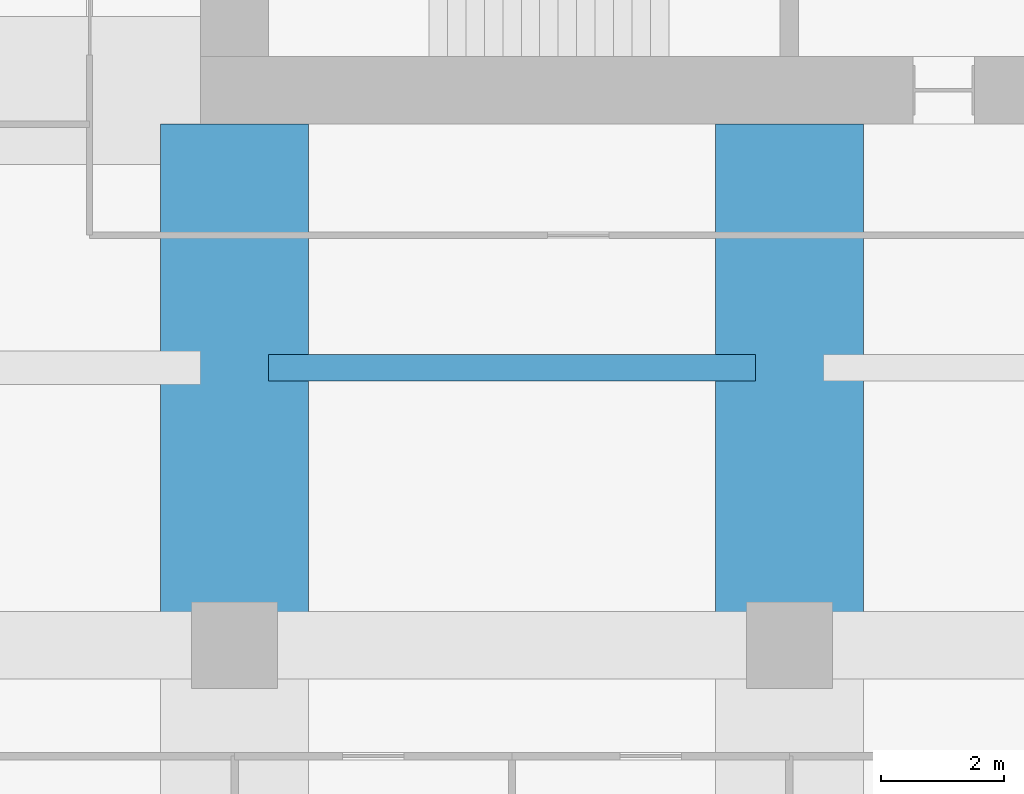
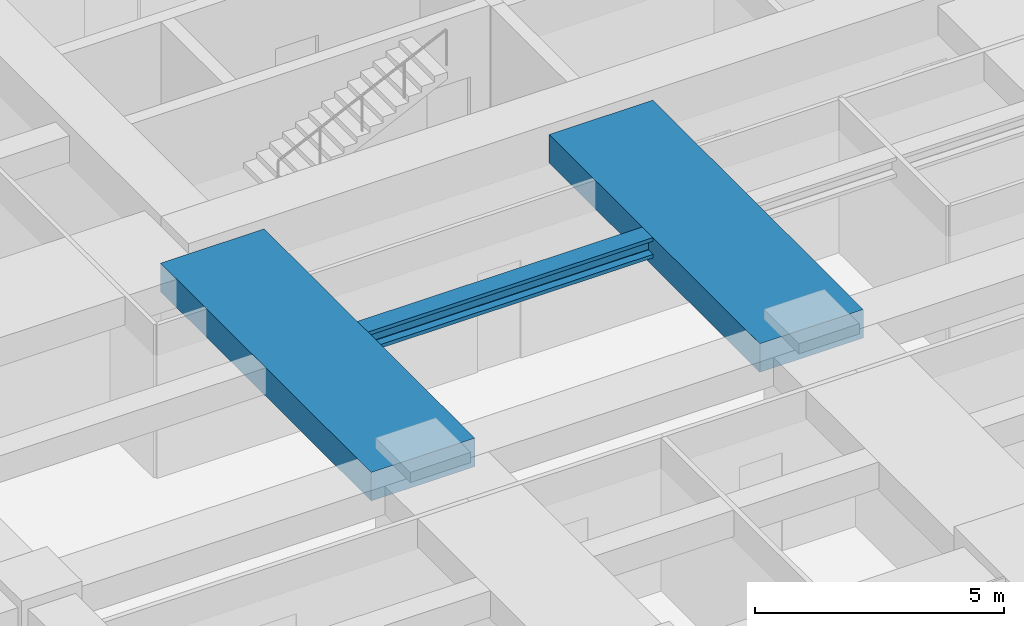
# One storey, part 8 of 35: 3 beams.
"""IFC4 building model written with IfcOpenShell, lengths in metres."""

import ifcopenshell
import ifcopenshell.guid

model = None  # the IFC model being written
_history = None  # IfcOwnerHistory: only IFC2X3 demands one
_inside = {}  # id of a spatial element -> (the spatial element, [elements in it])
_under = {}  # id of a project, library or spatial element -> (it, [spatial elements below it])
_declared = {}  # id of a project -> (the project, [libraries it declares])
_typed = {}  # id of a type object -> (the type object, [elements of that type])
_made_of = {}  # id of a material, layer set ... -> (it, [elements and type objects made of it])


def new_model(schema):
    """Start an empty IFC model of exactly this schema.

    Asked for "IFC4X3", IfcOpenShell would pick the latest addendum, in which some entities
    have other attributes; the version numbers below select the first issue.
    IFC2X3 requires an IfcOwnerHistory on every rooted entity: one is made here for all.
    """
    global model, _history
    if schema == "IFC4X3":
        model = ifcopenshell.file(schema_version=(4, 3, 0, 0))
    else:
        model = ifcopenshell.file(schema=schema)
    _inside.clear()
    _under.clear()
    _declared.clear()
    _typed.clear()
    _made_of.clear()
    _history = None
    if model.schema == "IFC2X3":
        org = make("IfcOrganization", Name="unknown")
        user = make(
            "IfcPersonAndOrganization",
            ThePerson=make("IfcPerson", FamilyName="unknown"),
            TheOrganization=org,
        )
        app = make(
            "IfcApplication",
            ApplicationDeveloper=org,
            Version="unknown",
            ApplicationFullName="unknown",
            ApplicationIdentifier="unknown",
        )
        _history = make(
            "IfcOwnerHistory",
            OwningUser=user,
            OwningApplication=app,
            ChangeAction="ADDED",
            CreationDate=0,
        )
    return model


def make(cls, **values):
    """One entity of the class cls with the attributes given. An attribute that is None is left unset."""
    return model.create_entity(
        cls, **{name: value for name, value in values.items() if value is not None}
    )


def rooted(cls, **values):
    """An entity with a GlobalId (a new one), such as an element, a storey or a relation."""
    return make(cls, GlobalId=ifcopenshell.guid.new(), OwnerHistory=_history, **values)


def si_unit(unit_type, name, prefix=None):
    """IfcSIUnit, for example si_unit("LENGTHUNIT", "METRE", prefix="MILLI")."""
    return make("IfcSIUnit", UnitType=unit_type, Prefix=prefix, Name=name)


def assignment(units):
    """IfcUnitAssignment: the units of a project."""
    return None if units is None else make("IfcUnitAssignment", Units=units)


def point(xyz):
    """IfcCartesianPoint."""
    return None if xyz is None else make("IfcCartesianPoint", Coordinates=xyz)


def direction(xyz):
    """IfcDirection."""
    return None if xyz is None else make("IfcDirection", DirectionRatios=xyz)


def frame(location, z_axis=None, x_axis=None):
    """IfcAxis2Placement3D, a coordinate frame: its origin and axes. An axis left out is left unset."""
    return make(
        "IfcAxis2Placement3D",
        Location=point(location),
        Axis=direction(z_axis),
        RefDirection=direction(x_axis),
    )


def frame_2d(location, x_axis=None):
    """IfcAxis2Placement2D, a coordinate frame in the plane: its origin and x axis."""
    return make(
        "IfcAxis2Placement2D", Location=point(location), RefDirection=direction(x_axis)
    )


def origin():
    """The frame at (0, 0, 0) with its axes left unset."""
    return frame((0.0, 0.0, 0.0))


def origin_2d():
    """The frame at (0, 0) in the plane with its x axis left unset."""
    return frame_2d((0.0, 0.0))


def place(relative_to, where):
    """IfcLocalPlacement: puts the frame where relative to a parent placement (None: the world)."""
    return make(
        "IfcLocalPlacement", PlacementRelTo=relative_to, RelativePlacement=where
    )


def context(
    kind, dimensions, precision=None, world=None, true_north=None, identifier=None
):
    """IfcGeometricRepresentationContext, for example the 3D "Model" context."""
    return make(
        "IfcGeometricRepresentationContext",
        ContextIdentifier=identifier,
        ContextType=kind,
        CoordinateSpaceDimension=dimensions,
        Precision=precision,
        WorldCoordinateSystem=world,
        TrueNorth=true_north,
    )


def subcontext(parent, identifier, kind, view, scale=None):
    """IfcGeometricRepresentationSubContext, for example "Body" below "Model"."""
    return make(
        "IfcGeometricRepresentationSubContext",
        ContextIdentifier=identifier,
        ContextType=kind,
        ParentContext=parent,
        TargetScale=scale,
        TargetView=view,
    )


def project(units=None, contexts=None):
    """IfcProject with its units and contexts."""
    return rooted(
        "IfcProject",
        Name="project",
        RepresentationContexts=contexts,
        UnitsInContext=assignment(units),
    )


def spatial(cls, under=None, at=None, **own):
    """A site, building, storey or space (cls), placed at a placement, below another one or the project."""
    s = rooted(cls, ObjectPlacement=at, **own)
    if under is not None:
        _under.setdefault(under.id(), (under, []))[1].append(s)
    return s


def profile(cls, at=None, kind="AREA", **sizes):
    """A parametric profile (cls). Its sizes go by their IFC names, for example OverallWidth=200.0."""
    return make(cls, ProfileType=kind, Position=at, **sizes)


def rectangle(**sizes):
    """IfcRectangleProfileDef."""
    return profile("IfcRectangleProfileDef", **sizes)


def i_section(**sizes):
    """IfcIShapeProfileDef."""
    return profile("IfcIShapeProfileDef", **sizes)


def extrude(swept, where, along, depth):
    """IfcExtrudedAreaSolid: the profile swept, set in the frame where, extruded along a direction by depth."""
    return make(
        "IfcExtrudedAreaSolid",
        SweptArea=swept,
        Position=where,
        ExtrudedDirection=direction(along),
        Depth=depth,
    )


def shape(context_of_items, identifier, shape_type, items):
    """IfcShapeRepresentation: the items that make up one representation, for example the "Body"."""
    return make(
        "IfcShapeRepresentation",
        ContextOfItems=context_of_items,
        RepresentationIdentifier=identifier,
        RepresentationType=shape_type,
        Items=items,
    )


def material(Name=None, Category=None):
    """IfcMaterial."""
    return make("IfcMaterial", Name=Name, Category=Category)


def material_profile(
    of_material, cross_section, Name=None, Category=None, Priority=None
):
    """IfcMaterialProfile: a cross section and its material."""
    return make(
        "IfcMaterialProfile",
        Name=Name,
        Material=of_material,
        Profile=cross_section,
        Priority=Priority,
        Category=Category,
    )


def profile_set(profiles, Name=None, composite=None):
    """IfcMaterialProfileSet."""
    return make(
        "IfcMaterialProfileSet",
        Name=Name,
        MaterialProfiles=profiles,
        CompositeProfile=composite,
    )


def made_of(thing, what):
    """Note that an element or type object is made of a material, layer set ...; save() writes the relation."""
    if what is not None:
        _made_of.setdefault(what.id(), (what, []))[1].append(thing)
    return thing


def type_object(cls, material=None, **own):
    """A type object (cls), such as IfcWallType, which elements share."""
    return made_of(rooted(cls, **own), material)


def element(
    cls,
    number,
    at=None,
    inside=None,
    cuts=None,
    type_object=None,
    material=None,
    context=None,
    identifier="Body",
    shape_type=None,
    held_by="IfcProductDefinitionShape",
    body=None,
    shapes=None,
    **own,
):
    """One element of the class cls, such as IfcWall. Its Tag is "e" and its number.

    at: its placement. inside: the storey or other place that contains it. cuts: it is an
    opening in that element (IfcRelVoidsElement). A single representation is given by context,
    identifier, shape_type and body (its items); several are given by shapes. held_by: the class
    of the entity that holds the representations. save() writes the other relations.
    """
    e = rooted(cls, Tag="e%d" % number, ObjectPlacement=at, **own)
    if body is not None:
        shapes = [shape(context, identifier, shape_type, body)]
    if shapes is not None:
        e.Representation = make(held_by, Representations=shapes)
    if inside is not None:
        _inside.setdefault(inside.id(), (inside, []))[1].append(e)
    if cuts is not None:
        rooted(
            "IfcRelVoidsElement", RelatingBuildingElement=cuts, RelatedOpeningElement=e
        )
    if type_object is not None:
        _typed.setdefault(type_object.id(), (type_object, []))[1].append(e)
    return made_of(e, material)


def aggregate(whole, parts):
    """IfcRelAggregates: a whole, such as a stair, and the parts it consists of."""
    return rooted("IfcRelAggregates", RelatingObject=whole, RelatedObjects=parts)


def save(model, path):
    """Write the relations noted so far, then the file.

    IfcRelAggregates (storeys below a building ...), IfcRelContainedInSpatialStructure (elements
    in a storey), IfcRelDefinesByType, IfcRelAssociatesMaterial and IfcRelDeclares: one each for
    every whole, place, type object, material and project.
    """
    for whole, parts in _under.values():
        aggregate(whole, parts)
    for where, things in _inside.values():
        rooted(
            "IfcRelContainedInSpatialStructure",
            RelatedElements=things,
            RelatingStructure=where,
        )
    for kind, things in _typed.values():
        rooted("IfcRelDefinesByType", RelatedObjects=things, RelatingType=kind)
    for what, things in _made_of.values():
        rooted("IfcRelAssociatesMaterial", RelatedObjects=things, RelatingMaterial=what)
    for by, libraries in _declared.values():
        rooted("IfcRelDeclares", RelatingContext=by, RelatedDefinitions=libraries)
    model.write(path)


model = new_model("IFC4")

# Units and contexts
model_context = context("Model", 3, precision=1e-05, world=origin(), true_north=direction((0.0, 1.0)))
body_context = subcontext(model_context, "Body", "Model", "MODEL_VIEW")
ifc_project = project(units=[si_unit("LENGTHUNIT", "METRE"), si_unit("AREAUNIT", "SQUARE_METRE"), si_unit("VOLUMEUNIT", "CUBIC_METRE"), si_unit("PLANEANGLEUNIT", "RADIAN"), si_unit("MASSUNIT", "GRAM", prefix="KILO")], contexts=[model_context])

# Site, building, storey
site_placement = place(None, origin())
site = spatial("IfcSite", under=ifc_project, at=site_placement, CompositionType="ELEMENT")
building_placement = place(site_placement, origin())
building = spatial("IfcBuilding", under=site, at=building_placement, Name="Zorevar Civic Tower", CompositionType="ELEMENT")
storey_placement = place(building_placement, frame((0.0, 0.0, 222.199951171875)))
storey = spatial("IfcBuildingStorey", under=building, at=storey_placement, Name="L54", CompositionType="ELEMENT", Elevation=222.199951171875)

# Beams
ifc_material_1 = material(Name="Concrete C50/60", Category="concrete")
ifc_material_profile_1 = material_profile(ifc_material_1, rectangle(XDim=2.39990234375, YDim=0.699951171875, at=origin_2d()), Name="RC 2400x700")
ifc_profile_set_1 = profile_set([ifc_material_profile_1], Name="Concrete C50/60")
beam_type_1 = type_object("IfcBeamType", Name="Beam RC 2400x700", PredefinedType="BEAM", material=ifc_profile_set_1)
for number, where, z_axis, x_axis, name in (
    (1, (18.0, 9.0, 3.400146484375), (0.0, 1.0, 0.0), (-1.0, 0.0, 0.0), "Girder L55"),
    (2, (27.0, 9.0, 3.400146484375), (0.0, 1.0, 0.0), (-1.0, 0.0, 0.0), "Girder L55"),
):
    element("IfcBeam", number, at=place(storey_placement, frame(where, z_axis=z_axis, x_axis=x_axis)), inside=storey, type_object=beam_type_1, Name=name, PredefinedType="BEAM", context=body_context, shape_type="SweptSolid", body=[
        extrude(rectangle(XDim=2.39990234375, YDim=0.699951171875, at=origin_2d()), origin(), (0.0, 0.0, 1.0), 8.449951171875),
    ])
ifc_material_2 = material(Name="Steel S460M (HISTAR 460)", Category="steel")
ifc_material_profile_2 = material_profile(ifc_material_2, i_section(OverallWidth=0.431884765625, OverallDepth=0.498046875, WebThickness=0.0556640625, FlangeThickness=0.0888671875, FilletRadius=0.014892578125, at=origin_2d()), Name="HD 400x744")
ifc_profile_set_2 = profile_set([ifc_material_profile_2], Name="Steel S460M (HISTAR 460)")
beam_type_2 = type_object("IfcBeamType", Name="Core bay beam HD 400x744", PredefinedType="BEAM", material=ifc_profile_set_2)
beam_placement = place(storey_placement, frame((18.550048828125, 13.5, 3.5009765625), z_axis=(1.0, 0.0, 0.0), x_axis=(0.0, 1.0, 0.0)))
element("IfcBeam", 3, at=beam_placement, inside=storey, type_object=beam_type_2, Name="Secondary beam L55", PredefinedType="BEAM", context=body_context, shape_type="SweptSolid", body=[
    extrude(i_section(OverallWidth=0.431884765625, OverallDepth=0.498046875, WebThickness=0.0556640625, FlangeThickness=0.0888671875, FilletRadius=0.014892578125, at=origin_2d()), origin(), (0.0, 0.0, 1.0), 7.89990234375),
])

save(model, "model.ifc")
